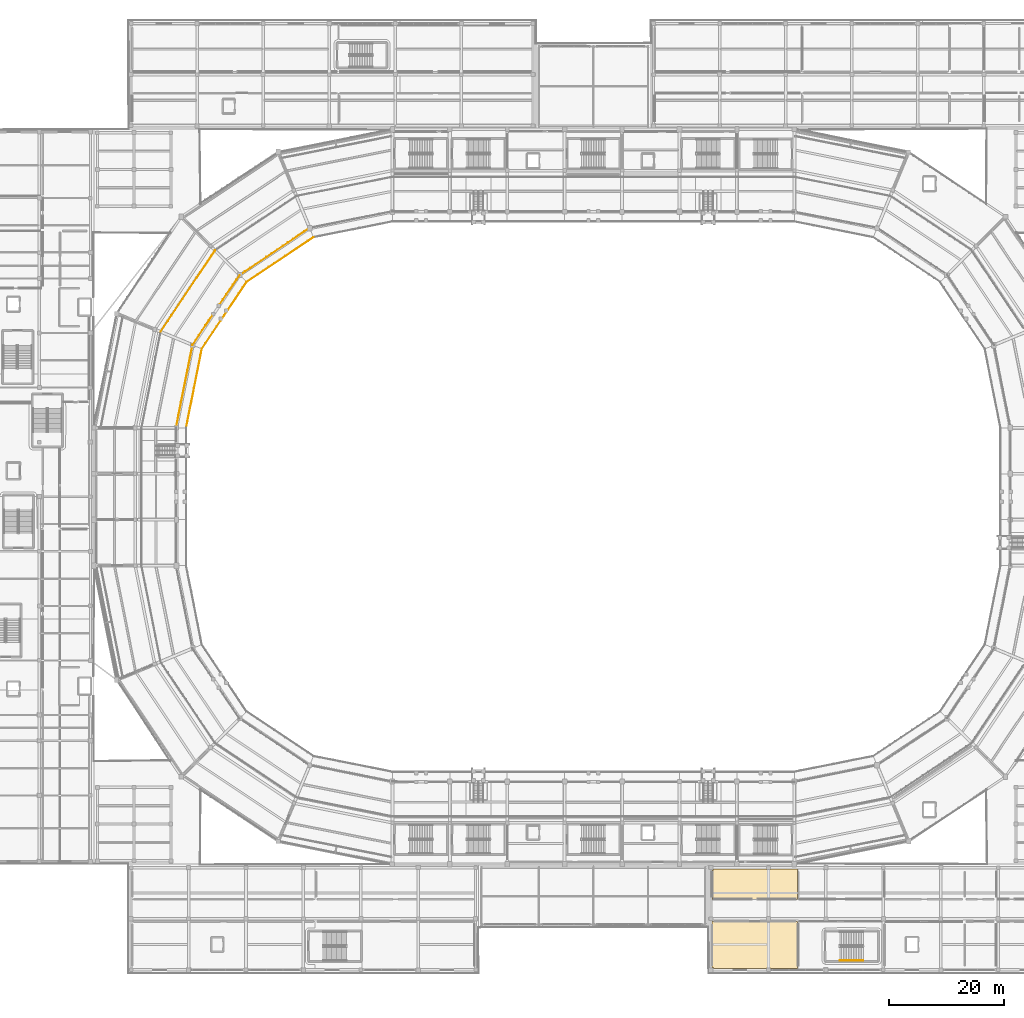
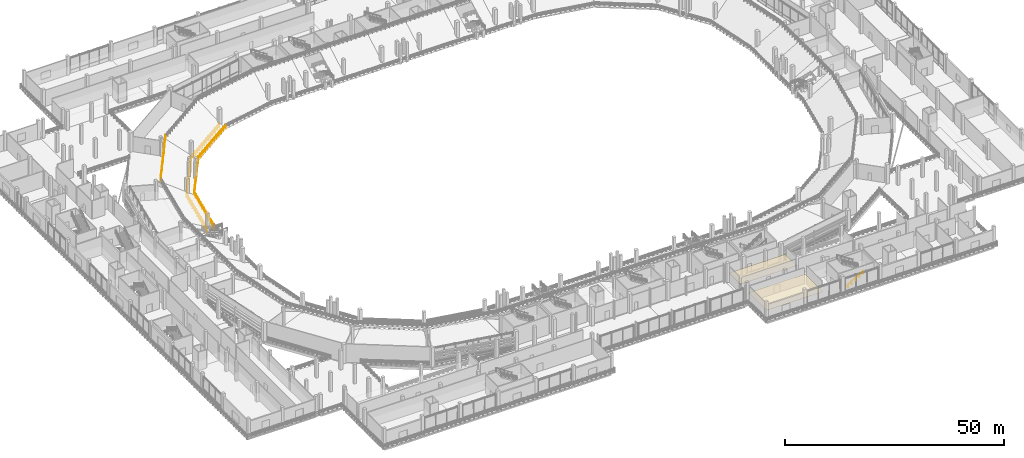
# One storey, part 108 of 127: 9 railings, 2 coverings.
"""IFC4 building model written with IfcOpenShell, lengths in metres."""

from ifc_helpers import new_model, si_unit, direction, frame, origin, origin_2d, place, context, subcontext, project, spatial, polyline, circle, outline, extrude, material, layer, layer_set, type_object, element, save


model = new_model("IFC4")

# Units and contexts
model_context = context("Model", 3, precision=1e-05, world=origin(), true_north=direction((0.0, 1.0)))
body_context = subcontext(model_context, "Body", "Model", "MODEL_VIEW")
ifc_project = project(units=[si_unit("LENGTHUNIT", "METRE"), si_unit("AREAUNIT", "SQUARE_METRE"), si_unit("VOLUMEUNIT", "CUBIC_METRE"), si_unit("PLANEANGLEUNIT", "RADIAN"), si_unit("MASSUNIT", "GRAM", prefix="KILO")], contexts=[model_context])

# Site, building, storey
site_placement = place(None, origin())
site = spatial("IfcSite", under=ifc_project, at=site_placement, CompositionType="ELEMENT")
building_placement = place(site_placement, origin())
building = spatial("IfcBuilding", under=site, at=building_placement, Name="Candeia Ridge Stadium", CompositionType="ELEMENT")
storey_placement = place(building_placement, frame((0.0, 0.0, 10.800048828125)))
storey = spatial("IfcBuildingStorey", under=building, at=storey_placement, Name="L02", CompositionType="ELEMENT", Elevation=10.800048828125)

# Coverings
ifc_material_1 = material(Name="Western Red Cedar Acoustic Slat", Category="wood")
ifc_layer_1 = layer(ifc_material_1, 0.044921875, Name="Western Red Cedar Acoustic Slat", Category="wood")
ifc_layer_set_1 = layer_set([ifc_layer_1], Name="Western Red Cedar Acoustic Slat")
covering_type = type_object("IfcCoveringType", Name="Slatted Cedar Acoustic Ceiling 45", PredefinedType="CEILING", material=ifc_layer_set_1)
covering_1_placement = place(storey_placement, frame((0.0, 0.0, 2.510009765625)))
element("IfcCovering", 1, at=covering_1_placement, inside=storey, type_object=covering_type, Name="Acoustic ceiling Corporate Hospitality Suite S01", PredefinedType="CEILING", context=body_context, shape_type="SweptSolid", body=[
    extrude(outline(polyline([(126.670166015625, 9.0029296875), (126.670654296875, 9.005859375), (126.67138671875, 9.0087890625), (126.67236328125, 9.011474609375), (126.673583984375, 9.01416015625), (126.675048828125, 9.0166015625), (126.6767578125, 9.01904296875), (126.6787109375, 9.021240234375), (126.680908203125, 9.023193359375), (126.683349609375, 9.02490234375), (126.685791015625, 9.026611328125), (126.6884765625, 9.027587890625), (126.69140625, 9.02880859375), (126.694091796875, 9.029296875), (126.697021484375, 9.02978515625), (126.699951171875, 9.030029296875), (141.5, 9.030029296875), (141.5029296875, 9.02978515625), (141.505859375, 9.029296875), (141.5087890625, 9.02880859375), (141.511474609375, 9.027587890625), (141.51416015625, 9.026611328125), (141.5166015625, 9.02490234375), (141.51904296875, 9.023193359375), (141.521240234375, 9.021240234375), (141.523193359375, 9.01904296875), (141.52490234375, 9.0166015625), (141.526611328125, 9.01416015625), (141.527587890625, 9.011474609375), (141.52880859375, 9.0087890625), (141.529296875, 9.005859375), (141.52978515625, 9.0029296875), (141.530029296875, 9.0), (141.530029296875, 0.89990234375), (141.52978515625, 0.897216796875), (141.529296875, 0.89404296875), (141.52880859375, 0.891357421875), (141.527587890625, 0.888427734375), (141.526611328125, 0.885986328125), (141.52490234375, 0.88330078125), (141.523193359375, 0.881103515625), (141.521240234375, 0.87890625), (141.51904296875, 0.876708984375), (141.5166015625, 0.875), (141.51416015625, 0.87353515625), (141.511474609375, 0.872314453125), (141.5087890625, 0.871337890625), (141.505859375, 0.87060546875), (141.5029296875, 0.8701171875), (141.5, 0.8701171875), (136.864990234375, 0.8701171875), (136.864990234375, 0.965087890625), (136.135009765625, 0.965087890625), (136.135009765625, 0.8701171875), (126.889892578125, 0.8701171875), (126.889892578125, 0.989990234375), (126.669921875, 0.989990234375), (126.669921875, 9.0), (126.670166015625, 9.0029296875)])), origin(), (0.0, 0.0, 1.0), 0.0400390625),
])
covering_2_placement = place(storey_placement, frame((0.0, 0.0, 2.510009765625)))
element("IfcCovering", 2, at=covering_2_placement, inside=storey, type_object=covering_type, Name="Acoustic ceiling Corporate Hospitality Suite S01 North Hall", PredefinedType="CEILING", context=body_context, shape_type="SweptSolid", body=[
    extrude(outline(polyline([(126.694091796875, 12.87060546875), (126.69140625, 12.871337890625), (126.6884765625, 12.872314453125), (126.685791015625, 12.87353515625), (126.683349609375, 12.875), (126.680908203125, 12.876708984375), (126.6787109375, 12.87890625), (126.6767578125, 12.881103515625), (126.675048828125, 12.88330078125), (126.673583984375, 12.885986328125), (126.67236328125, 12.888427734375), (126.67138671875, 12.891357421875), (126.670654296875, 12.89404296875), (126.670166015625, 12.897216796875), (126.669921875, 12.89990234375), (126.669921875, 18.010009765625), (126.889892578125, 18.010009765625), (126.889892578125, 18.1298828125), (136.135009765625, 18.1298828125), (136.135009765625, 18.034912109375), (136.864990234375, 18.034912109375), (136.864990234375, 18.1298828125), (141.5, 18.1298828125), (141.5029296875, 18.1298828125), (141.505859375, 18.12939453125), (141.5087890625, 18.128662109375), (141.511474609375, 18.127685546875), (141.51416015625, 18.12646484375), (141.5166015625, 18.125), (141.51904296875, 18.123291015625), (141.521240234375, 18.12109375), (141.523193359375, 18.118896484375), (141.52490234375, 18.11669921875), (141.526611328125, 18.114013671875), (141.527587890625, 18.111572265625), (141.52880859375, 18.108642578125), (141.529296875, 18.10595703125), (141.52978515625, 18.102783203125), (141.530029296875, 18.10009765625), (141.530029296875, 12.89990234375), (141.52978515625, 12.897216796875), (141.529296875, 12.89404296875), (141.52880859375, 12.891357421875), (141.527587890625, 12.888427734375), (141.526611328125, 12.885986328125), (141.52490234375, 12.88330078125), (141.523193359375, 12.881103515625), (141.521240234375, 12.87890625), (141.51904296875, 12.876708984375), (141.5166015625, 12.875), (141.51416015625, 12.87353515625), (141.511474609375, 12.872314453125), (141.5087890625, 12.871337890625), (141.505859375, 12.87060546875), (141.5029296875, 12.8701171875), (141.5, 12.8701171875), (126.699951171875, 12.8701171875), (126.697021484375, 12.8701171875), (126.694091796875, 12.87060546875)])), origin(), (0.0, 0.0, 1.0), 0.0400390625),
])

# Railings
ifc_material_2 = material(Name="Galvanized Powder-Coated Steel", Category="steel")
ifc_layer_2 = layer(ifc_material_2, 0.074951171875, Name="Galvanized Powder-Coated Steel", Category="steel")
ifc_layer_set_2 = layer_set([ifc_layer_2], Name="Galvanized Powder-Coated Steel")
railing_type_1 = type_object("IfcRailingType", Name="Spectator Bowl Front Guardrail 1120", PredefinedType="GUARDRAIL", material=ifc_layer_set_2)
railing_1_placement = place(storey_placement, frame((57.25390625, 128.185791015625, 0.39990234375)))
element("IfcRailing", 3, at=railing_1_placement, inside=storey, type_object=railing_type_1, Name="Stand T2 front safety guardrail bay 09", PredefinedType="GUARDRAIL", context=body_context, shape_type="SweptSolid", body=[
    extrude(circle(Radius=0.02392578125, at=origin_2d()), frame((0.0, 0.0, 1.09619140625), z_axis=(-0.831460234107, -0.555584268224, 0.0), x_axis=(0.555584268224, -0.831460234107, 0.0)), (0.0, 0.0, 1.0), 14.01513671875),
    extrude(circle(Radius=0.02392578125, at=origin_2d()), frame((0.0, 0.0, 0.56005859375), z_axis=(-0.831460234107, -0.555584268224, 0.0), x_axis=(0.555584268224, -0.831460234107, 0.0)), (0.0, 0.0, 1.0), 14.01513671875),
    extrude(circle(Radius=0.02099609375, at=origin_2d()), origin(), (0.0, 0.0, 1.0), 1.072021484375),
    extrude(circle(Radius=0.02099609375, at=origin_2d()), frame((-0.97119140625, -0.64892578125, 0.0)), (0.0, 0.0, 1.0), 1.072021484375),
    extrude(circle(Radius=0.02099609375, at=origin_2d()), frame((-1.942138671875, -1.2978515625, 0.0)), (0.0, 0.0, 1.0), 1.072021484375),
    extrude(circle(Radius=0.02099609375, at=origin_2d()), frame((-2.913330078125, -1.94677734375, 0.0)), (0.0, 0.0, 1.0), 1.072021484375),
    extrude(circle(Radius=0.02099609375, at=origin_2d()), frame((-3.88427734375, -2.595458984375, 0.0)), (0.0, 0.0, 1.0), 1.072021484375),
    extrude(circle(Radius=0.02099609375, at=origin_2d()), frame((-4.85546875, -3.244384765625, 0.0)), (0.0, 0.0, 1.0), 1.072021484375),
    extrude(circle(Radius=0.02099609375, at=origin_2d()), frame((-5.82666015625, -3.893310546875, 0.0)), (0.0, 0.0, 1.0), 1.072021484375),
    extrude(circle(Radius=0.02099609375, at=origin_2d()), frame((-6.797607421875, -4.542236328125, 0.0)), (0.0, 0.0, 1.0), 1.072021484375),
    extrude(circle(Radius=0.02099609375, at=origin_2d()), frame((-7.768798828125, -5.191162109375, 0.0)), (0.0, 0.0, 1.0), 1.072021484375),
    extrude(circle(Radius=0.02099609375, at=origin_2d()), frame((-8.73974609375, -5.83984375, 0.0)), (0.0, 0.0, 1.0), 1.072021484375),
    extrude(circle(Radius=0.02099609375, at=origin_2d()), frame((-9.7109375, -6.48876953125, 0.0)), (0.0, 0.0, 1.0), 1.072021484375),
    extrude(circle(Radius=0.02099609375, at=origin_2d()), frame((-10.681884765625, -7.1376953125, 0.0)), (0.0, 0.0, 1.0), 1.072021484375),
    extrude(circle(Radius=0.02099609375, at=origin_2d()), frame((-11.653076171875, -7.78662109375, 0.0)), (0.0, 0.0, 1.0), 1.072021484375),
])
railing_2_placement = place(storey_placement, frame((45.600830078125, 120.399169921875, 0.39990234375)))
element("IfcRailing", 4, at=railing_2_placement, inside=storey, type_object=railing_type_1, Name="Stand T2 front safety guardrail bay 10", PredefinedType="GUARDRAIL", context=body_context, shape_type="SweptSolid", body=[
    extrude(circle(Radius=0.02392578125, at=origin_2d()), frame((0.0, 0.0, 1.09619140625), z_axis=(-0.555584268224, -0.831460234107, 0.0), x_axis=(0.831460234107, -0.555584268224, 0.0)), (0.0, 0.0, 1.0), 14.01513671875),
    extrude(circle(Radius=0.02392578125, at=origin_2d()), frame((0.0, 0.0, 0.56005859375), z_axis=(-0.555584268224, -0.831460234107, 0.0), x_axis=(0.831460234107, -0.555584268224, 0.0)), (0.0, 0.0, 1.0), 14.01513671875),
    extrude(circle(Radius=0.02099609375, at=origin_2d()), origin(), (0.0, 0.0, 1.0), 1.072021484375),
    extrude(circle(Radius=0.02099609375, at=origin_2d()), frame((-0.64892578125, -0.97119140625, 0.0)), (0.0, 0.0, 1.0), 1.072021484375),
    extrude(circle(Radius=0.02099609375, at=origin_2d()), frame((-1.2978515625, -1.942138671875, 0.0)), (0.0, 0.0, 1.0), 1.072021484375),
    extrude(circle(Radius=0.02099609375, at=origin_2d()), frame((-1.94677734375, -2.913330078125, 0.0)), (0.0, 0.0, 1.0), 1.072021484375),
    extrude(circle(Radius=0.02099609375, at=origin_2d()), frame((-2.595458984375, -3.88427734375, 0.0)), (0.0, 0.0, 1.0), 1.072021484375),
    extrude(circle(Radius=0.02099609375, at=origin_2d()), frame((-3.244384765625, -4.85546875, 0.0)), (0.0, 0.0, 1.0), 1.072021484375),
    extrude(circle(Radius=0.02099609375, at=origin_2d()), frame((-3.893310546875, -5.82666015625, 0.0)), (0.0, 0.0, 1.0), 1.072021484375),
    extrude(circle(Radius=0.02099609375, at=origin_2d()), frame((-4.542236328125, -6.797607421875, 0.0)), (0.0, 0.0, 1.0), 1.072021484375),
    extrude(circle(Radius=0.02099609375, at=origin_2d()), frame((-5.191162109375, -7.768798828125, 0.0)), (0.0, 0.0, 1.0), 1.072021484375),
    extrude(circle(Radius=0.02099609375, at=origin_2d()), frame((-5.83984375, -8.73974609375, 0.0)), (0.0, 0.0, 1.0), 1.072021484375),
    extrude(circle(Radius=0.02099609375, at=origin_2d()), frame((-6.48876953125, -9.7109375, 0.0)), (0.0, 0.0, 1.0), 1.072021484375),
    extrude(circle(Radius=0.02099609375, at=origin_2d()), frame((-7.1376953125, -10.681884765625, 0.0)), (0.0, 0.0, 1.0), 1.072021484375),
    extrude(circle(Radius=0.02099609375, at=origin_2d()), frame((-7.78662109375, -11.653076171875, 0.0)), (0.0, 0.0, 1.0), 1.072021484375),
])
railing_3_placement = place(storey_placement, frame((40.113525390625, 125.886474609375, 4.949951171875)))
element("IfcRailing", 5, at=railing_3_placement, inside=storey, type_object=railing_type_1, Name="Stand T2 rear safety guardrail bay 10", PredefinedType="GUARDRAIL", context=body_context, shape_type="SweptSolid", body=[
    extrude(circle(Radius=0.02392578125, at=origin_2d()), frame((0.0, 0.0, 1.09619140625), z_axis=(-0.5555626979, -0.831474647059, 0.0), x_axis=(0.831474647059, -0.5555626979, 0.0)), (0.0, 0.0, 1.0), 17.043212890625),
    extrude(circle(Radius=0.02392578125, at=origin_2d()), frame((0.0, 0.0, 0.56005859375), z_axis=(-0.5555626979, -0.831474647059, 0.0), x_axis=(0.831474647059, -0.5555626979, 0.0)), (0.0, 0.0, 1.0), 17.043212890625),
    extrude(circle(Radius=0.02099609375, at=origin_2d()), origin(), (0.0, 0.0, 1.0), 1.072021484375),
    extrude(circle(Radius=0.02099609375, at=origin_2d()), frame((-0.63134765625, -0.94482421875, 0.0)), (0.0, 0.0, 1.0), 1.072021484375),
    extrude(circle(Radius=0.02099609375, at=origin_2d()), frame((-1.262451171875, -1.889404296875, 0.0)), (0.0, 0.0, 1.0), 1.072021484375),
    extrude(circle(Radius=0.02099609375, at=origin_2d()), frame((-1.893798828125, -2.834228515625, 0.0)), (0.0, 0.0, 1.0), 1.072021484375),
    extrude(circle(Radius=0.02099609375, at=origin_2d()), frame((-2.52490234375, -3.77880859375, 0.0)), (0.0, 0.0, 1.0), 1.072021484375),
    extrude(circle(Radius=0.02099609375, at=origin_2d()), frame((-3.15625, -4.7236328125, 0.0)), (0.0, 0.0, 1.0), 1.072021484375),
    extrude(circle(Radius=0.02099609375, at=origin_2d()), frame((-3.787353515625, -5.66845703125, 0.0)), (0.0, 0.0, 1.0), 1.072021484375),
    extrude(circle(Radius=0.02099609375, at=origin_2d()), frame((-4.418701171875, -6.613037109375, 0.0)), (0.0, 0.0, 1.0), 1.072021484375),
    extrude(circle(Radius=0.02099609375, at=origin_2d()), frame((-5.0498046875, -7.557861328125, 0.0)), (0.0, 0.0, 1.0), 1.072021484375),
    extrude(circle(Radius=0.02099609375, at=origin_2d()), frame((-5.68115234375, -8.50244140625, 0.0)), (0.0, 0.0, 1.0), 1.072021484375),
    extrude(circle(Radius=0.02099609375, at=origin_2d()), frame((-6.312255859375, -9.447265625, 0.0)), (0.0, 0.0, 1.0), 1.072021484375),
    extrude(circle(Radius=0.02099609375, at=origin_2d()), frame((-6.943603515625, -10.39208984375, 0.0)), (0.0, 0.0, 1.0), 1.072021484375),
    extrude(circle(Radius=0.02099609375, at=origin_2d()), frame((-7.57470703125, -11.336669921875, 0.0)), (0.0, 0.0, 1.0), 1.072021484375),
    extrude(circle(Radius=0.02099609375, at=origin_2d()), frame((-8.2060546875, -12.281494140625, 0.0)), (0.0, 0.0, 1.0), 1.072021484375),
    extrude(circle(Radius=0.02099609375, at=origin_2d()), frame((-8.837158203125, -13.22607421875, 0.0)), (0.0, 0.0, 1.0), 1.072021484375),
    extrude(circle(Radius=0.02099609375, at=origin_2d()), frame((-9.468505859375, -14.1708984375, 0.0)), (0.0, 0.0, 1.0), 1.072021484375),
])
railing_4_placement = place(storey_placement, frame((37.814208984375, 108.74609375, 0.39990234375)))
element("IfcRailing", 6, at=railing_4_placement, inside=storey, type_object=railing_type_1, Name="Stand T2 front safety guardrail bay 11", PredefinedType="GUARDRAIL", context=body_context, shape_type="SweptSolid", body=[
    extrude(circle(Radius=0.02392578125, at=origin_2d()), frame((0.0, 0.0, 1.09619140625), z_axis=(-0.195080905976, -0.980787153323, 0.0), x_axis=(0.980787153323, -0.195080905976, 0.0)), (0.0, 0.0, 1.0), 14.015380859375),
    extrude(circle(Radius=0.02392578125, at=origin_2d()), frame((0.0, 0.0, 0.56005859375), z_axis=(-0.195080905976, -0.980787153323, 0.0), x_axis=(0.980787153323, -0.195080905976, 0.0)), (0.0, 0.0, 1.0), 14.015380859375),
    extrude(circle(Radius=0.02099609375, at=origin_2d()), origin(), (0.0, 0.0, 1.0), 1.072021484375),
    extrude(circle(Radius=0.02099609375, at=origin_2d()), frame((-0.227783203125, -1.1455078125, 0.0)), (0.0, 0.0, 1.0), 1.072021484375),
    extrude(circle(Radius=0.02099609375, at=origin_2d()), frame((-0.45556640625, -2.291015625, 0.0)), (0.0, 0.0, 1.0), 1.072021484375),
    extrude(circle(Radius=0.02099609375, at=origin_2d()), frame((-0.68359375, -3.4365234375, 0.0)), (0.0, 0.0, 1.0), 1.072021484375),
    extrude(circle(Radius=0.02099609375, at=origin_2d()), frame((-0.911376953125, -4.58203125, 0.0)), (0.0, 0.0, 1.0), 1.072021484375),
    extrude(circle(Radius=0.02099609375, at=origin_2d()), frame((-1.13916015625, -5.7275390625, 0.0)), (0.0, 0.0, 1.0), 1.072021484375),
    extrude(circle(Radius=0.02099609375, at=origin_2d()), frame((-1.3671875, -6.873046875, 0.0)), (0.0, 0.0, 1.0), 1.072021484375),
    extrude(circle(Radius=0.02099609375, at=origin_2d()), frame((-1.594970703125, -8.0185546875, 0.0)), (0.0, 0.0, 1.0), 1.072021484375),
    extrude(circle(Radius=0.02099609375, at=origin_2d()), frame((-1.82275390625, -9.1640625, 0.0)), (0.0, 0.0, 1.0), 1.072021484375),
    extrude(circle(Radius=0.02099609375, at=origin_2d()), frame((-2.050537109375, -10.3095703125, 0.0)), (0.0, 0.0, 1.0), 1.072021484375),
    extrude(circle(Radius=0.02099609375, at=origin_2d()), frame((-2.2783203125, -11.455078125, 0.0)), (0.0, 0.0, 1.0), 1.072021484375),
    extrude(circle(Radius=0.02099609375, at=origin_2d()), frame((-2.50634765625, -12.6005859375, 0.0)), (0.0, 0.0, 1.0), 1.072021484375),
    extrude(circle(Radius=0.02099609375, at=origin_2d()), frame((-2.734130859375, -13.74609375, 0.0)), (0.0, 0.0, 1.0), 1.072021484375),
])
railing_5_placement = place(storey_placement, frame((56.566650390625, 129.804443359375, 0.0)))
element("IfcRailing", 7, at=railing_5_placement, inside=storey, type_object=railing_type_1, Name="Deck edge safety guardrail GR-DE-L02-0107", PredefinedType="GUARDRAIL", context=body_context, shape_type="SweptSolid", body=[
    extrude(circle(Radius=0.02392578125, at=origin_2d()), frame((0.0, 0.0, 1.09619140625), z_axis=(-0.828422855938, -0.560103179566, 0.0), x_axis=(0.560103179566, -0.828422855938, 0.0)), (0.0, 0.0, 1.0), 14.6708984375),
    extrude(circle(Radius=0.02392578125, at=origin_2d()), frame((0.0, 0.0, 0.56005859375), z_axis=(-0.828422855938, -0.560103179566, 0.0), x_axis=(0.560103179566, -0.828422855938, 0.0)), (0.0, 0.0, 1.0), 14.6708984375),
    extrude(circle(Radius=0.02099609375, at=origin_2d()), origin(), (0.0, 0.0, 1.0), 1.072021484375),
    extrude(circle(Radius=0.02099609375, at=origin_2d()), frame((-0.934814453125, -0.632080078125, 0.0)), (0.0, 0.0, 1.0), 1.072021484375),
    extrude(circle(Radius=0.02099609375, at=origin_2d()), frame((-1.869873046875, -1.26416015625, 0.0)), (0.0, 0.0, 1.0), 1.072021484375),
    extrude(circle(Radius=0.02099609375, at=origin_2d()), frame((-2.8046875, -1.896240234375, 0.0)), (0.0, 0.0, 1.0), 1.072021484375),
    extrude(circle(Radius=0.02099609375, at=origin_2d()), frame((-3.73974609375, -2.5283203125, 0.0)), (0.0, 0.0, 1.0), 1.072021484375),
    extrude(circle(Radius=0.02099609375, at=origin_2d()), frame((-4.674560546875, -3.160400390625, 0.0)), (0.0, 0.0, 1.0), 1.072021484375),
    extrude(circle(Radius=0.02099609375, at=origin_2d()), frame((-5.609375, -3.79248046875, 0.0)), (0.0, 0.0, 1.0), 1.072021484375),
    extrude(circle(Radius=0.02099609375, at=origin_2d()), frame((-6.54443359375, -4.4248046875, 0.0)), (0.0, 0.0, 1.0), 1.072021484375),
    extrude(circle(Radius=0.02099609375, at=origin_2d()), frame((-7.479248046875, -5.056884765625, 0.0)), (0.0, 0.0, 1.0), 1.072021484375),
    extrude(circle(Radius=0.02099609375, at=origin_2d()), frame((-8.4140625, -5.68896484375, 0.0)), (0.0, 0.0, 1.0), 1.072021484375),
    extrude(circle(Radius=0.02099609375, at=origin_2d()), frame((-9.34912109375, -6.321044921875, 0.0)), (0.0, 0.0, 1.0), 1.072021484375),
    extrude(circle(Radius=0.02099609375, at=origin_2d()), frame((-10.283935546875, -6.953125, 0.0)), (0.0, 0.0, 1.0), 1.072021484375),
    extrude(circle(Radius=0.02099609375, at=origin_2d()), frame((-11.218994140625, -7.585205078125, 0.0)), (0.0, 0.0, 1.0), 1.072021484375),
    extrude(circle(Radius=0.02099609375, at=origin_2d()), frame((-12.15380859375, -8.21728515625, 0.0)), (0.0, 0.0, 1.0), 1.072021484375),
])
railing_6_placement = place(storey_placement, frame((44.412841796875, 121.587158203125, 0.0)))
element("IfcRailing", 8, at=railing_6_placement, inside=storey, type_object=railing_type_1, Name="Deck edge safety guardrail GR-DE-L02-0108", PredefinedType="GUARDRAIL", context=body_context, shape_type="SweptSolid", body=[
    extrude(circle(Radius=0.02392578125, at=origin_2d()), frame((0.0, 0.0, 1.09619140625), z_axis=(-0.566371994549, -0.824149721707, 0.0), x_axis=(0.824149721707, -0.566371994549, 0.0)), (0.0, 0.0, 1.0), 6.144775390625),
    extrude(circle(Radius=0.02392578125, at=origin_2d()), frame((0.0, 0.0, 0.56005859375), z_axis=(-0.566371994549, -0.824149721707, 0.0), x_axis=(0.824149721707, -0.566371994549, 0.0)), (0.0, 0.0, 1.0), 6.144775390625),
    extrude(circle(Radius=0.02099609375, at=origin_2d()), origin(), (0.0, 0.0, 1.0), 1.072021484375),
    extrude(circle(Radius=0.02099609375, at=origin_2d()), frame((-0.580078125, -0.843994140625, 0.0)), (0.0, 0.0, 1.0), 1.072021484375),
    extrude(circle(Radius=0.02099609375, at=origin_2d()), frame((-1.16015625, -1.68798828125, 0.0)), (0.0, 0.0, 1.0), 1.072021484375),
    extrude(circle(Radius=0.02099609375, at=origin_2d()), frame((-1.740234375, -2.5322265625, 0.0)), (0.0, 0.0, 1.0), 1.072021484375),
    extrude(circle(Radius=0.02099609375, at=origin_2d()), frame((-2.320068359375, -3.376220703125, 0.0)), (0.0, 0.0, 1.0), 1.072021484375),
    extrude(circle(Radius=0.02099609375, at=origin_2d()), frame((-2.900146484375, -4.22021484375, 0.0)), (0.0, 0.0, 1.0), 1.072021484375),
    extrude(circle(Radius=0.02099609375, at=origin_2d()), frame((-3.480224609375, -5.064208984375, 0.0)), (0.0, 0.0, 1.0), 1.072021484375),
])
railing_7_placement = place(storey_placement, frame((39.609130859375, 114.542236328125, 0.0)))
element("IfcRailing", 9, at=railing_7_placement, inside=storey, type_object=railing_type_1, Name="Deck edge safety guardrail GR-DE-L02-0109", PredefinedType="GUARDRAIL", context=body_context, shape_type="SweptSolid", body=[
    extrude(circle(Radius=0.02392578125, at=origin_2d()), frame((0.0, 0.0, 1.09619140625), z_axis=(-0.554745815185, -0.832019879891, 0.0), x_axis=(0.832019879891, -0.554745815185, 0.0)), (0.0, 0.0, 1.0), 6.175048828125),
    extrude(circle(Radius=0.02392578125, at=origin_2d()), frame((0.0, 0.0, 0.56005859375), z_axis=(-0.554745815185, -0.832019879891, 0.0), x_axis=(0.832019879891, -0.554745815185, 0.0)), (0.0, 0.0, 1.0), 6.175048828125),
    extrude(circle(Radius=0.02099609375, at=origin_2d()), origin(), (0.0, 0.0, 1.0), 1.072021484375),
    extrude(circle(Radius=0.02099609375, at=origin_2d()), frame((-0.57080078125, -0.856201171875, 0.0)), (0.0, 0.0, 1.0), 1.072021484375),
    extrude(circle(Radius=0.02099609375, at=origin_2d()), frame((-1.141845703125, -1.712646484375, 0.0)), (0.0, 0.0, 1.0), 1.072021484375),
    extrude(circle(Radius=0.02099609375, at=origin_2d()), frame((-1.712890625, -2.56884765625, 0.0)), (0.0, 0.0, 1.0), 1.072021484375),
    extrude(circle(Radius=0.02099609375, at=origin_2d()), frame((-2.28369140625, -3.425048828125, 0.0)), (0.0, 0.0, 1.0), 1.072021484375),
    extrude(circle(Radius=0.02099609375, at=origin_2d()), frame((-2.8544921875, -4.281494140625, 0.0)), (0.0, 0.0, 1.0), 1.072021484375),
    extrude(circle(Radius=0.02099609375, at=origin_2d()), frame((-3.425537109375, -5.1376953125, 0.0)), (0.0, 0.0, 1.0), 1.072021484375),
])
railing_8_placement = place(storey_placement, frame((36.18359375, 109.404541015625, 0.0)))
element("IfcRailing", 10, at=railing_8_placement, inside=storey, type_object=railing_type_1, Name="Deck edge safety guardrail GR-DE-L02-0110", PredefinedType="GUARDRAIL", context=body_context, shape_type="SweptSolid", body=[
    extrude(circle(Radius=0.02392578125, at=origin_2d()), frame((0.0, 0.0, 1.09619140625), z_axis=(-0.194977927437, -0.98080763038, 0.0), x_axis=(0.98080763038, -0.194977927437, 0.0)), (0.0, 0.0, 1.0), 14.6865234375),
    extrude(circle(Radius=0.02392578125, at=origin_2d()), frame((0.0, 0.0, 0.56005859375), z_axis=(-0.194977927437, -0.98080763038, 0.0), x_axis=(0.98080763038, -0.194977927437, 0.0)), (0.0, 0.0, 1.0), 14.6865234375),
    extrude(circle(Radius=0.02099609375, at=origin_2d()), origin(), (0.0, 0.0, 1.0), 1.072021484375),
    extrude(circle(Radius=0.02099609375, at=origin_2d()), frame((-0.22021484375, -1.108154296875, 0.0)), (0.0, 0.0, 1.0), 1.072021484375),
    extrude(circle(Radius=0.02099609375, at=origin_2d()), frame((-0.4404296875, -2.216064453125, 0.0)), (0.0, 0.0, 1.0), 1.072021484375),
    extrude(circle(Radius=0.02099609375, at=origin_2d()), frame((-0.660888671875, -3.32421875, 0.0)), (0.0, 0.0, 1.0), 1.072021484375),
    extrude(circle(Radius=0.02099609375, at=origin_2d()), frame((-0.881103515625, -4.43212890625, 0.0)), (0.0, 0.0, 1.0), 1.072021484375),
    extrude(circle(Radius=0.02099609375, at=origin_2d()), frame((-1.101318359375, -5.540283203125, 0.0)), (0.0, 0.0, 1.0), 1.072021484375),
    extrude(circle(Radius=0.02099609375, at=origin_2d()), frame((-1.321533203125, -6.648193359375, 0.0)), (0.0, 0.0, 1.0), 1.072021484375),
    extrude(circle(Radius=0.02099609375, at=origin_2d()), frame((-1.5419921875, -7.75634765625, 0.0)), (0.0, 0.0, 1.0), 1.072021484375),
    extrude(circle(Radius=0.02099609375, at=origin_2d()), frame((-1.76220703125, -8.8642578125, 0.0)), (0.0, 0.0, 1.0), 1.072021484375),
    extrude(circle(Radius=0.02099609375, at=origin_2d()), frame((-1.982421875, -9.972412109375, 0.0)), (0.0, 0.0, 1.0), 1.072021484375),
    extrude(circle(Radius=0.02099609375, at=origin_2d()), frame((-2.20263671875, -11.080322265625, 0.0)), (0.0, 0.0, 1.0), 1.072021484375),
    extrude(circle(Radius=0.02099609375, at=origin_2d()), frame((-2.423095703125, -12.1884765625, 0.0)), (0.0, 0.0, 1.0), 1.072021484375),
    extrude(circle(Radius=0.02099609375, at=origin_2d()), frame((-2.643310546875, -13.29638671875, 0.0)), (0.0, 0.0, 1.0), 1.072021484375),
    extrude(circle(Radius=0.02099609375, at=origin_2d()), frame((-2.863525390625, -14.404541015625, 0.0)), (0.0, 0.0, 1.0), 1.072021484375),
])
ifc_material_3 = material(Name="Brushed Stainless Steel", Category="steel")
ifc_layer_3 = layer(ifc_material_3, 0.048095703125, Name="Brushed Stainless Steel", Category="steel")
ifc_layer_set_3 = layer_set([ifc_layer_3], Name="Brushed Stainless Steel")
railing_type_2 = type_object("IfcRailingType", Name="Stair Wall & Flight Handrail 900", PredefinedType="HANDRAIL", material=ifc_layer_set_3)
railing_9_placement = place(storey_placement, frame((148.949951171875, 2.25, 0.179931640625)))
element("IfcRailing", 11, at=railing_9_placement, inside=storey, type_object=railing_type_2, Name="L02 ST14 stair handrail 1", PredefinedType="HANDRAIL", context=body_context, shape_type="SweptSolid", body=[
    extrude(circle(Radius=0.02392578125, at=origin_2d()), frame((0.0, 0.0, 0.8759765625), z_axis=(0.849641744969, 0.0, 0.527360318194), x_axis=(0.0, 1.0, 0.0)), (0.0, 0.0, 1.0), 4.778564453125),
    extrude(circle(Radius=0.02099609375, at=origin_2d()), origin(), (0.0, 0.0, 1.0), 0.851806640625),
    extrude(circle(Radius=0.02099609375, at=origin_2d()), frame((1.01513671875, 0.0, 0.6298828125)), (0.0, 0.0, 1.0), 0.851806640625),
    extrude(circle(Radius=0.02099609375, at=origin_2d()), frame((2.030029296875, 0.0, 1.260009765625)), (0.0, 0.0, 1.0), 0.851806640625),
    extrude(circle(Radius=0.02099609375, at=origin_2d()), frame((3.044921875, 0.0, 1.89013671875)), (0.0, 0.0, 1.0), 0.851806640625),
    extrude(circle(Radius=0.02099609375, at=origin_2d()), frame((4.06005859375, 0.0, 2.52001953125)), (0.0, 0.0, 1.0), 0.851806640625),
])

save(model, "model.ifc")
